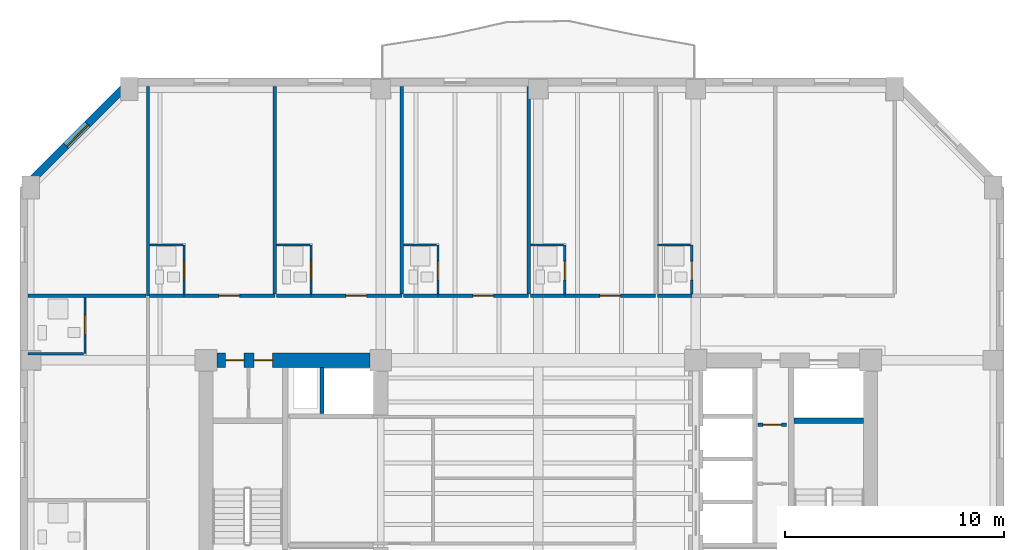
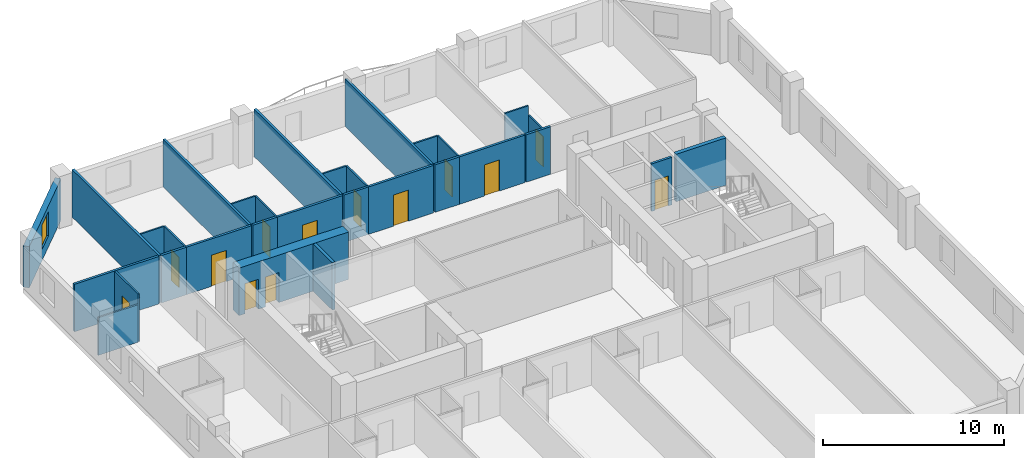
# One storey, part 5 of 11: 31 walls, 13 doors, 1 window, 14 openings.
"""IFC4 building model written with IfcOpenShell, lengths in metres."""

from ifc_helpers import new_model, si_unit, direction, frame, frame_2d, origin, place, context, subcontext, project, spatial, rectangle, extrude, material, layer, layer_set, type_object, element, fill, save


model = new_model("IFC4")

# Units and contexts
model_context = context("Model", 3, precision=1e-05, world=origin(), true_north=direction((0.0, 1.0)))
body_context = subcontext(model_context, "Body", "Model", "MODEL_VIEW")
ifc_project = project(units=[si_unit("LENGTHUNIT", "METRE"), si_unit("AREAUNIT", "SQUARE_METRE"), si_unit("VOLUMEUNIT", "CUBIC_METRE"), si_unit("PLANEANGLEUNIT", "RADIAN"), si_unit("MASSUNIT", "GRAM", prefix="KILO")], contexts=[model_context])

# Site, building, storey
site_placement = place(None, origin())
site = spatial("IfcSite", under=ifc_project, at=site_placement, CompositionType="ELEMENT")
building_placement = place(site_placement, origin())
building = spatial("IfcBuilding", under=site, at=building_placement, Name="Kranthara Brick Stack", CompositionType="ELEMENT")
storey_placement = place(building_placement, frame((0.0, 0.0, 130.800048828125)))
storey = spatial("IfcBuildingStorey", under=building, at=storey_placement, Name="L32", CompositionType="ELEMENT", Elevation=130.800048828125)

# Wall, opening, window
ifc_material_1 = material(Name="Kiln-fired clay brick masonry M15", Category="masonry")
ifc_layer_1 = layer(ifc_material_1, 0.35009765625)
ifc_layer_set_1 = layer_set([ifc_layer_1], Name="Kiln-fired clay brick masonry M15")
wall_type_1 = type_object("IfcWallType", Name="WL-BRK-SPND-350", PredefinedType="STANDARD", material=ifc_layer_set_1)
wall_1_placement = place(storey_placement, frame((4.4951171875, 41.5, 0.0), z_axis=(0.0, 0.0, 1.0), x_axis=(0.707106781187, 0.707106781187, 0.0)))
wall_1 = element("IfcWall", 1, at=wall_1_placement, inside=storey, type_object=wall_type_1, Name="L32 Exterior Brick Facade Wall NW 1", PredefinedType="STANDARD", context=body_context, shape_type="SweptSolid", body=[
    extrude(rectangle(XDim=6.795166015625, YDim=0.35009765625, at=frame_2d((3.3974609375, 0.0))), origin(), (0.0, 0.0, 1.0), 2.784912109375),
])
opening_1_placement = place(wall_1_placement, frame((2.697998046875, 0.0, 0.75)))
opening_1 = element("IfcOpeningElement", 2, at=opening_1_placement, cuts=wall_1, Name="Opening WN10", PredefinedType="OPENING", context=body_context, shape_type="SweptSolid", body=[
    extrude(rectangle(XDim=1.39990234375, YDim=1.64990234375, at=frame_2d((0.699951171875, 0.824951171875))), frame((0.0, 0.18505859375, 0.0), z_axis=(0.0, -1.0, 0.0), x_axis=(1.0, 0.0, 0.0)), (0.0, 0.0, 1.0), 0.3701171875),
])
ifc_material_2 = material(Name="Double-glazed low-E solar control glass", Category="glass")
window_type = type_object("IfcWindowType", Name="WN-CHM-1400x1750", PartitioningType="SINGLE_PANEL", PredefinedType="WINDOW", material=ifc_material_2)
window_placement = place(opening_1_placement, origin())
window = element("IfcWindow", 3, at=window_placement, inside=storey, type_object=window_type, Name="L32 NW Chamfer Corner Window", OverallHeight=1.64990234375, OverallWidth=1.39990234375, PartitioningType="SINGLE_PANEL", PredefinedType="WINDOW", context=body_context, shape_type="SweptSolid", body=[
    extrude(rectangle(XDim=1.39990234375, YDim=1.64990234375, at=frame_2d((0.699951171875, 0.824951171875))), frame((0.0, -0.010009765625, 0.0), z_axis=(0.0, -1.0, 0.0), x_axis=(1.0, 0.0, 0.0)), (0.0, 0.0, 1.0), 0.06005859375),
])
fill(opening_1, window)

# Wall
ifc_material_3 = material(Name="Concrete C50/60", Category="concrete")
ifc_layer_2 = layer(ifc_material_3, 0.25)
ifc_layer_set_2 = layer_set([ifc_layer_2], Name="Concrete C50/60")
wall_type_2 = type_object("IfcWallType", Name="WL-CORE-250", PredefinedType="SHEAR", material=ifc_layer_set_2)
wall_2_placement = place(storey_placement, frame((39.68994140625, 30.830078125, 0.0), z_axis=(0.0, 0.0, 1.0), x_axis=(1.0, 0.0, 0.0)))
element("IfcWall", 4, at=wall_2_placement, inside=storey, type_object=wall_type_2, Name="L32 East Stairwell Bearing Wall EST", PredefinedType="SHEAR", context=body_context, shape_type="SweptSolid", body=[
    extrude(rectangle(XDim=3.175048828125, YDim=0.25, at=frame_2d((1.58740234375, 0.0))), origin(), (0.0, 0.0, 1.0), 3.199951171875),
])

# Wall, openings, doors
ifc_material_4 = material(Name="Concrete C60/75", Category="concrete")
ifc_layer_3 = layer(ifc_material_4, 0.64990234375)
ifc_layer_set_3 = layer_set([ifc_layer_3], Name="Concrete C60/75")
wall_type_3 = type_object("IfcWallType", Name="WL-CORE-650", PredefinedType="SHEAR", material=ifc_layer_set_3)
wall_3_placement = place(storey_placement, frame((13.304931640625, 33.60009765625, 0.0), z_axis=(0.0, 0.0, 1.0), x_axis=(1.0, 0.0, 0.0)))
wall_3 = element("IfcWall", 5, at=wall_3_placement, inside=storey, type_object=wall_type_3, Name="L32 West Core Shear Wall North", PredefinedType="SHEAR", context=body_context, shape_type="SweptSolid", body=[
    extrude(rectangle(XDim=6.989990234375, YDim=0.64990234375, at=frame_2d((3.4951171875, 0.0))), origin(), (0.0, 0.0, 1.0), 3.199951171875),
])
opening_2_placement = place(wall_3_placement, frame((0.39501953125, 0.0, 0.0)))
opening_2 = element("IfcOpeningElement", 6, at=opening_2_placement, cuts=wall_3, Name="Opening D10", PredefinedType="OPENING", context=body_context, shape_type="SweptSolid", body=[
    extrude(rectangle(XDim=0.85009765625, YDim=2.02001953125, at=frame_2d((0.425048828125, 1.010009765625))), frame((0.0, 0.3349609375, 0.0), z_axis=(0.0, -1.0, 0.0), x_axis=(1.0, 0.0, 0.0)), (0.0, 0.0, 1.0), 0.669921875),
])
opening_3_placement = place(wall_3_placement, frame((1.695068359375, 0.0, 0.0)))
opening_3 = element("IfcOpeningElement", 7, at=opening_3_placement, cuts=wall_3, Name="Opening D10", PredefinedType="OPENING", context=body_context, shape_type="SweptSolid", body=[
    extrude(rectangle(XDim=0.85009765625, YDim=2.02001953125, at=frame_2d((0.425048828125, 1.010009765625))), frame((0.0, 0.3349609375, 0.0), z_axis=(0.0, -1.0, 0.0), x_axis=(1.0, 0.0, 0.0)), (0.0, 0.0, 1.0), 0.669921875),
])
ifc_material_5 = material(Name="Solid-core hardwood timber leaf in steel frame", Category="steel")
door_type_1 = type_object("IfcDoorType", Name="DR-RSR-850", OperationType="NOTDEFINED", PredefinedType="DOOR", material=ifc_material_5)
door_1_placement = place(opening_2_placement, origin())
door_1 = element("IfcDoor", 8, at=door_1_placement, inside=storey, type_object=door_type_1, Name="L32 West Core Service Door 1", OperationType="SINGLE_SWING_LEFT", OverallHeight=2.02001953125, OverallWidth=0.85009765625, PredefinedType="DOOR", context=body_context, shape_type="SweptSolid", body=[
    extrude(rectangle(XDim=0.85009765625, YDim=2.02001953125, at=frame_2d((0.425048828125, 1.010009765625))), frame((0.0, 0.02490234375, 0.0), z_axis=(0.0, -1.0, 0.0), x_axis=(1.0, 0.0, 0.0)), (0.0, 0.0, 1.0), 0.050048828125),
])
fill(opening_2, door_1)
door_2_placement = place(opening_3_placement, origin())
door_2 = element("IfcDoor", 9, at=door_2_placement, inside=storey, type_object=door_type_1, Name="L32 West Core Service Door 2", OperationType="SINGLE_SWING_RIGHT", OverallHeight=2.02001953125, OverallWidth=0.85009765625, PredefinedType="DOOR", context=body_context, shape_type="SweptSolid", body=[
    extrude(rectangle(XDim=0.85009765625, YDim=2.02001953125, at=frame_2d((0.425048828125, 1.010009765625))), frame((0.0, 0.02490234375, 0.0), z_axis=(0.0, -1.0, 0.0), x_axis=(1.0, 0.0, 0.0)), (0.0, 0.0, 1.0), 0.050048828125),
])
fill(opening_3, door_2)

# Wall, opening, door
ifc_material_6 = material(Name="Moisture-resistant wet-room partition", Category="other")
ifc_layer_4 = layer(ifc_material_6, 0.10009765625)
ifc_layer_set_4 = layer_set([ifc_layer_4], Name="Moisture-resistant wet-room partition")
wall_type_4 = type_object("IfcWallType", Name="WL-PART-100", PredefinedType="PARTITIONING", material=ifc_layer_set_4)
wall_4_placement = place(storey_placement, frame((11.800048828125, 36.6298828125, 0.0), z_axis=(0.0, 0.0, 1.0), x_axis=(0.0, 1.0, 0.0)))
wall_4 = element("IfcWall", 10, at=wall_4_placement, inside=storey, type_object=wall_type_4, Name="L32 Interior Partition 043", PredefinedType="PARTITIONING", context=body_context, shape_type="SweptSolid", body=[
    extrude(rectangle(XDim=2.25, YDim=0.10009765625, at=frame_2d((1.125, 0.0))), origin(), (0.0, 0.0, 1.0), 3.199951171875),
])
opening_4_placement = place(wall_4_placement, frame((0.639892578125, 0.0, 0.0)))
opening_4 = element("IfcOpeningElement", 11, at=opening_4_placement, cuts=wall_4, Name="Opening D17", PredefinedType="OPENING", context=body_context, shape_type="SweptSolid", body=[
    extrude(rectangle(XDim=0.85009765625, YDim=2.050048828125, at=frame_2d((0.425048828125, 1.02490234375))), frame((0.0, 0.06005859375, 0.0), z_axis=(0.0, -1.0, 0.0), x_axis=(1.0, 0.0, 0.0)), (0.0, 0.0, 1.0), 0.1201171875),
])
ifc_material_7 = material(Name="Solid-core hardwood timber leaf in steel frame", Category="steel")
door_type_2 = type_object("IfcDoorType", Name="DR-WET-850", OperationType="NOTDEFINED", PredefinedType="DOOR", material=ifc_material_7)
door_3_placement = place(opening_4_placement, origin())
door_3 = element("IfcDoor", 12, at=door_3_placement, inside=storey, type_object=door_type_2, Name="L32 Key 07 En-Suite Door 19", OperationType="SINGLE_SWING_LEFT", OverallHeight=2.050048828125, OverallWidth=0.85009765625, PredefinedType="DOOR", context=body_context, shape_type="SweptSolid", body=[
    extrude(rectangle(XDim=0.85009765625, YDim=2.050048828125, at=frame_2d((0.425048828125, 1.02490234375))), frame((0.0, 0.02490234375, 0.0), z_axis=(0.0, -1.0, 0.0), x_axis=(1.0, 0.0, 0.0)), (0.0, 0.0, 1.0), 0.050048828125),
])
fill(opening_4, door_3)

# Wall
wall_5_placement = place(storey_placement, frame((10.22998046875, 38.8798828125, 0.0), z_axis=(0.0, 0.0, 1.0), x_axis=(1.0, 0.0, 0.0)))
element("IfcWall", 13, at=wall_5_placement, inside=storey, type_object=wall_type_4, Name="L32 Interior Partition 044", PredefinedType="PARTITIONING", context=body_context, shape_type="SweptSolid", body=[
    extrude(rectangle(XDim=1.51513671875, YDim=0.10009765625, at=frame_2d((0.757568359375, 0.0))), origin(), (0.0, 0.0, 1.0), 3.199951171875),
])

# Wall, opening, door
wall_6_placement = place(storey_placement, frame((17.60595703125, 36.6298828125, 0.0), z_axis=(0.0, 0.0, 1.0), x_axis=(0.0, 1.0, 0.0)))
wall_6 = element("IfcWall", 14, at=wall_6_placement, inside=storey, type_object=wall_type_4, Name="L32 Interior Partition 048", PredefinedType="PARTITIONING", context=body_context, shape_type="SweptSolid", body=[
    extrude(rectangle(XDim=2.25, YDim=0.10009765625, at=frame_2d((1.125, 0.0))), origin(), (0.0, 0.0, 1.0), 3.199951171875),
])
opening_5_placement = place(wall_6_placement, frame((0.639892578125, 0.0, 0.0)))
opening_5 = element("IfcOpeningElement", 15, at=opening_5_placement, cuts=wall_6, Name="Opening D17", PredefinedType="OPENING", context=body_context, shape_type="SweptSolid", body=[
    extrude(rectangle(XDim=0.85009765625, YDim=2.050048828125, at=frame_2d((0.425048828125, 1.02490234375))), frame((0.0, 0.06005859375, 0.0), z_axis=(0.0, -1.0, 0.0), x_axis=(1.0, 0.0, 0.0)), (0.0, 0.0, 1.0), 0.1201171875),
])
door_4_placement = place(opening_5_placement, origin())
door_4 = element("IfcDoor", 16, at=door_4_placement, inside=storey, type_object=door_type_2, Name="L32 Key 08 En-Suite Door 21", OperationType="SINGLE_SWING_LEFT", OverallHeight=2.050048828125, OverallWidth=0.85009765625, PredefinedType="DOOR", context=body_context, shape_type="SweptSolid", body=[
    extrude(rectangle(XDim=0.85009765625, YDim=2.050048828125, at=frame_2d((0.425048828125, 1.02490234375))), frame((0.0, 0.02490234375, 0.0), z_axis=(0.0, -1.0, 0.0), x_axis=(1.0, 0.0, 0.0)), (0.0, 0.0, 1.0), 0.050048828125),
])
fill(opening_5, door_4)

# Wall
wall_7_placement = place(storey_placement, frame((16.035888671875, 38.8798828125, 0.0), z_axis=(0.0, 0.0, 1.0), x_axis=(1.0, 0.0, 0.0)))
element("IfcWall", 17, at=wall_7_placement, inside=storey, type_object=wall_type_4, Name="L32 Interior Partition 049", PredefinedType="PARTITIONING", context=body_context, shape_type="SweptSolid", body=[
    extrude(rectangle(XDim=1.51513671875, YDim=0.10009765625, at=frame_2d((0.757568359375, 0.0))), origin(), (0.0, 0.0, 1.0), 3.199951171875),
])

# Wall, opening, door
wall_8_placement = place(storey_placement, frame((23.410888671875, 36.6298828125, 0.0), z_axis=(0.0, 0.0, 1.0), x_axis=(0.0, 1.0, 0.0)))
wall_8 = element("IfcWall", 18, at=wall_8_placement, inside=storey, type_object=wall_type_4, Name="L32 Interior Partition 053", PredefinedType="PARTITIONING", context=body_context, shape_type="SweptSolid", body=[
    extrude(rectangle(XDim=2.25, YDim=0.10009765625, at=frame_2d((1.125, 0.0))), origin(), (0.0, 0.0, 1.0), 3.199951171875),
])
opening_6_placement = place(wall_8_placement, frame((0.639892578125, 0.0, 0.0)))
opening_6 = element("IfcOpeningElement", 19, at=opening_6_placement, cuts=wall_8, Name="Opening D17", PredefinedType="OPENING", context=body_context, shape_type="SweptSolid", body=[
    extrude(rectangle(XDim=0.85009765625, YDim=2.050048828125, at=frame_2d((0.425048828125, 1.02490234375))), frame((0.0, 0.06005859375, 0.0), z_axis=(0.0, -1.0, 0.0), x_axis=(1.0, 0.0, 0.0)), (0.0, 0.0, 1.0), 0.1201171875),
])
door_5_placement = place(opening_6_placement, origin())
door_5 = element("IfcDoor", 20, at=door_5_placement, inside=storey, type_object=door_type_2, Name="L32 Key 09 En-Suite Door 23", OperationType="SINGLE_SWING_LEFT", OverallHeight=2.050048828125, OverallWidth=0.85009765625, PredefinedType="DOOR", context=body_context, shape_type="SweptSolid", body=[
    extrude(rectangle(XDim=0.85009765625, YDim=2.050048828125, at=frame_2d((0.425048828125, 1.02490234375))), frame((0.0, 0.02490234375, 0.0), z_axis=(0.0, -1.0, 0.0), x_axis=(1.0, 0.0, 0.0)), (0.0, 0.0, 1.0), 0.050048828125),
])
fill(opening_6, door_5)

# Wall
wall_9_placement = place(storey_placement, frame((21.841064453125, 38.8798828125, 0.0), z_axis=(0.0, 0.0, 1.0), x_axis=(1.0, 0.0, 0.0)))
element("IfcWall", 21, at=wall_9_placement, inside=storey, type_object=wall_type_4, Name="L32 Interior Partition 054", PredefinedType="PARTITIONING", context=body_context, shape_type="SweptSolid", body=[
    extrude(rectangle(XDim=1.514892578125, YDim=0.10009765625, at=frame_2d((0.75732421875, 0.0))), origin(), (0.0, 0.0, 1.0), 3.199951171875),
])

# Wall, opening, door
wall_10_placement = place(storey_placement, frame((29.216064453125, 36.6298828125, 0.0), z_axis=(0.0, 0.0, 1.0), x_axis=(0.0, 1.0, 0.0)))
wall_10 = element("IfcWall", 22, at=wall_10_placement, inside=storey, type_object=wall_type_4, Name="L32 Interior Partition 058", PredefinedType="PARTITIONING", context=body_context, shape_type="SweptSolid", body=[
    extrude(rectangle(XDim=2.25, YDim=0.10009765625, at=frame_2d((1.125, 0.0))), origin(), (0.0, 0.0, 1.0), 3.199951171875),
])
opening_7_placement = place(wall_10_placement, frame((0.639892578125, 0.0, 0.0)))
opening_7 = element("IfcOpeningElement", 23, at=opening_7_placement, cuts=wall_10, Name="Opening D17", PredefinedType="OPENING", context=body_context, shape_type="SweptSolid", body=[
    extrude(rectangle(XDim=0.85009765625, YDim=2.050048828125, at=frame_2d((0.425048828125, 1.02490234375))), frame((0.0, 0.06005859375, 0.0), z_axis=(0.0, -1.0, 0.0), x_axis=(1.0, 0.0, 0.0)), (0.0, 0.0, 1.0), 0.1201171875),
])
door_6_placement = place(opening_7_placement, origin())
door_6 = element("IfcDoor", 24, at=door_6_placement, inside=storey, type_object=door_type_2, Name="L32 Key 10 En-Suite Door 25", OperationType="SINGLE_SWING_LEFT", OverallHeight=2.050048828125, OverallWidth=0.85009765625, PredefinedType="DOOR", context=body_context, shape_type="SweptSolid", body=[
    extrude(rectangle(XDim=0.85009765625, YDim=2.050048828125, at=frame_2d((0.425048828125, 1.02490234375))), frame((0.0, 0.02490234375, 0.0), z_axis=(0.0, -1.0, 0.0), x_axis=(1.0, 0.0, 0.0)), (0.0, 0.0, 1.0), 0.050048828125),
])
fill(opening_7, door_6)

# Wall
wall_11_placement = place(storey_placement, frame((27.64599609375, 38.8798828125, 0.0), z_axis=(0.0, 0.0, 1.0), x_axis=(1.0, 0.0, 0.0)))
element("IfcWall", 25, at=wall_11_placement, inside=storey, type_object=wall_type_4, Name="L32 Interior Partition 059", PredefinedType="PARTITIONING", context=body_context, shape_type="SweptSolid", body=[
    extrude(rectangle(XDim=1.514892578125, YDim=0.10009765625, at=frame_2d((0.75732421875, 0.0))), origin(), (0.0, 0.0, 1.0), 3.199951171875),
])

# Wall, opening, door
wall_12_placement = place(storey_placement, frame((35.02197265625, 36.6298828125, 0.0), z_axis=(0.0, 0.0, 1.0), x_axis=(0.0, 1.0, 0.0)))
wall_12 = element("IfcWall", 26, at=wall_12_placement, inside=storey, type_object=wall_type_4, Name="L32 Interior Partition 063", PredefinedType="PARTITIONING", context=body_context, shape_type="SweptSolid", body=[
    extrude(rectangle(XDim=2.25, YDim=0.10009765625, at=frame_2d((1.125, 0.0))), origin(), (0.0, 0.0, 1.0), 2.534912109375),
])
opening_8_placement = place(wall_12_placement, frame((0.639892578125, 0.0, 0.0)))
opening_8 = element("IfcOpeningElement", 27, at=opening_8_placement, cuts=wall_12, Name="Opening D17", PredefinedType="OPENING", context=body_context, shape_type="SweptSolid", body=[
    extrude(rectangle(XDim=0.85009765625, YDim=2.050048828125, at=frame_2d((0.425048828125, 1.02490234375))), frame((0.0, 0.06005859375, 0.0), z_axis=(0.0, -1.0, 0.0), x_axis=(1.0, 0.0, 0.0)), (0.0, 0.0, 1.0), 0.1201171875),
])
door_7_placement = place(opening_8_placement, origin())
door_7 = element("IfcDoor", 28, at=door_7_placement, inside=storey, type_object=door_type_2, Name="L32 Key 11 En-Suite Door 27", OperationType="SINGLE_SWING_LEFT", OverallHeight=2.050048828125, OverallWidth=0.85009765625, PredefinedType="DOOR", context=body_context, shape_type="SweptSolid", body=[
    extrude(rectangle(XDim=0.85009765625, YDim=2.050048828125, at=frame_2d((0.425048828125, 1.02490234375))), frame((0.0, 0.02490234375, 0.0), z_axis=(0.0, -1.0, 0.0), x_axis=(1.0, 0.0, 0.0)), (0.0, 0.0, 1.0), 0.050048828125),
])
fill(opening_8, door_7)

# Wall
wall_13_placement = place(storey_placement, frame((33.451904296875, 38.8798828125, 0.0), z_axis=(0.0, 0.0, 1.0), x_axis=(1.0, 0.0, 0.0)))
element("IfcWall", 29, at=wall_13_placement, inside=storey, type_object=wall_type_4, Name="L32 Interior Partition 064", PredefinedType="PARTITIONING", context=body_context, shape_type="SweptSolid", body=[
    extrude(rectangle(XDim=1.51513671875, YDim=0.10009765625, at=frame_2d((0.757568359375, 0.0))), origin(), (0.0, 0.0, 1.0), 3.199951171875),
])

# Wall, opening, door
wall_14_placement = place(storey_placement, frame((7.27001953125, 33.89990234375, 0.0), z_axis=(0.0, 0.0, 1.0), x_axis=(0.0, 1.0, 0.0)))
wall_14 = element("IfcWall", 30, at=wall_14_placement, inside=storey, type_object=wall_type_4, Name="L32 Interior Partition 075", PredefinedType="PARTITIONING", context=body_context, shape_type="SweptSolid", body=[
    extrude(rectangle(XDim=2.570068359375, YDim=0.10009765625, at=frame_2d((1.28515625, 0.0))), origin(), (0.0, 0.0, 1.0), 3.199951171875),
])
opening_9_placement = place(wall_14_placement, frame((0.905029296875, 0.0, 0.0)))
opening_9 = element("IfcOpeningElement", 31, at=opening_9_placement, cuts=wall_14, Name="Opening D17", PredefinedType="OPENING", context=body_context, shape_type="SweptSolid", body=[
    extrude(rectangle(XDim=0.85009765625, YDim=2.050048828125, at=frame_2d((0.425048828125, 1.02490234375))), frame((0.0, 0.06005859375, 0.0), z_axis=(0.0, -1.0, 0.0), x_axis=(1.0, 0.0, 0.0)), (0.0, 0.0, 1.0), 0.1201171875),
])
door_8_placement = place(opening_9_placement, origin())
door_8 = element("IfcDoor", 32, at=door_8_placement, inside=storey, type_object=door_type_2, Name="L32 West Key 14 Bath 32", OperationType="SINGLE_SWING_RIGHT", OverallHeight=2.050048828125, OverallWidth=0.85009765625, PredefinedType="DOOR", context=body_context, shape_type="SweptSolid", body=[
    extrude(rectangle(XDim=0.85009765625, YDim=2.050048828125, at=frame_2d((0.425048828125, 1.02490234375))), frame((0.0, 0.02490234375, 0.0), z_axis=(0.0, -1.0, 0.0), x_axis=(1.0, 0.0, 0.0)), (0.0, 0.0, 1.0), 0.050048828125),
])
fill(opening_9, door_8)

# Wall
wall_15_placement = place(storey_placement, frame((4.675048828125, 33.89990234375, 0.0), z_axis=(0.0, 0.0, 1.0), x_axis=(1.0, 0.0, 0.0)))
element("IfcWall", 33, at=wall_15_placement, inside=storey, type_object=wall_type_4, Name="L32 Interior Partition 076", PredefinedType="PARTITIONING", context=body_context, shape_type="SweptSolid", body=[
    extrude(rectangle(XDim=2.5400390625, YDim=0.10009765625, at=frame_2d((1.27001953125, 0.0))), origin(), (0.0, 0.0, 1.0), 2.534912109375),
])

# Wall, opening, door
ifc_material_8 = material(Name="Fire-rated gypsum board partition", Category="other")
ifc_layer_5 = layer(ifc_material_8, 0.14990234375)
ifc_layer_set_5 = layer_set([ifc_layer_5], Name="Fire-rated gypsum board partition")
wall_type_5 = type_object("IfcWallType", Name="WL-PART-150", PredefinedType="PARTITIONING", material=ifc_layer_set_5)
wall_16_placement = place(storey_placement, frame((38.050048828125, 30.64990234375, 0.0), z_axis=(0.0, 0.0, 1.0), x_axis=(1.0, 0.0, 0.0)))
wall_16 = element("IfcWall", 34, at=wall_16_placement, inside=storey, type_object=wall_type_5, Name="L32 Interior Partition 003", PredefinedType="PARTITIONING", context=body_context, shape_type="SweptSolid", body=[
    extrude(rectangle(XDim=1.300048828125, YDim=0.14990234375, at=frame_2d((0.64990234375, 0.0))), origin(), (0.0, 0.0, 1.0), 3.199951171875),
])
opening_10_placement = place(wall_16_placement, frame((0.219970703125, 0.0, 0.0)))
opening_10 = element("IfcOpeningElement", 35, at=opening_10_placement, cuts=wall_16, Name="Opening D10", PredefinedType="OPENING", context=body_context, shape_type="SweptSolid", body=[
    extrude(rectangle(XDim=0.85009765625, YDim=2.02001953125, at=frame_2d((0.425048828125, 1.010009765625))), frame((0.0, 0.0849609375, 0.0), z_axis=(0.0, -1.0, 0.0), x_axis=(1.0, 0.0, 0.0)), (0.0, 0.0, 1.0), 0.169921875),
])
door_9_placement = place(opening_10_placement, origin())
door_9 = element("IfcDoor", 36, at=door_9_placement, inside=storey, type_object=door_type_1, Name="L32 Riser Door 2 03", OperationType="SINGLE_SWING_LEFT", OverallHeight=2.02001953125, OverallWidth=0.85009765625, PredefinedType="DOOR", context=body_context, shape_type="SweptSolid", body=[
    extrude(rectangle(XDim=0.85009765625, YDim=2.02001953125, at=frame_2d((0.425048828125, 1.010009765625))), frame((0.0, 0.02490234375, 0.0), z_axis=(0.0, -1.0, 0.0), x_axis=(1.0, 0.0, 0.0)), (0.0, 0.0, 1.0), 0.050048828125),
])
fill(opening_10, door_9)

# Walls
wall_17_placement = place(storey_placement, frame((10.14990234375, 36.550048828125, 0.0), z_axis=(0.0, 0.0, 1.0), x_axis=(0.0, 1.0, 0.0)))
element("IfcWall", 37, at=wall_17_placement, inside=storey, type_object=wall_type_5, Name="L32 Interior Partition 040", PredefinedType="PARTITIONING", context=body_context, shape_type="SweptSolid", body=[
    extrude(rectangle(XDim=9.574951171875, YDim=0.14990234375, at=frame_2d((4.78759765625, 0.0))), origin(), (0.0, 0.0, 1.0), 3.199951171875),
])
wall_18_placement = place(storey_placement, frame((10.22998046875, 36.550048828125, 0.0), z_axis=(0.0, 0.0, 1.0), x_axis=(1.0, 0.0, 0.0)))
element("IfcWall", 38, at=wall_18_placement, inside=storey, type_object=wall_type_5, Name="L32 Interior Partition 041", PredefinedType="PARTITIONING", context=body_context, shape_type="SweptSolid", body=[
    extrude(rectangle(XDim=1.570068359375, YDim=0.14990234375, at=frame_2d((0.78515625, 0.0))), origin(), (0.0, 0.0, 1.0), 3.199951171875),
])

# Wall, opening, door
wall_19_placement = place(storey_placement, frame((11.800048828125, 36.550048828125, 0.0), z_axis=(0.0, 0.0, 1.0), x_axis=(1.0, 0.0, 0.0)))
wall_19 = element("IfcWall", 39, at=wall_19_placement, inside=storey, type_object=wall_type_5, Name="L32 Interior Partition 042", PredefinedType="PARTITIONING", context=body_context, shape_type="SweptSolid", body=[
    extrude(rectangle(XDim=4.156005859375, YDim=0.14990234375, at=frame_2d((2.078125, 0.0))), origin(), (0.0, 0.0, 1.0), 3.199951171875),
])
opening_11_placement = place(wall_19_placement, frame((1.597900390625, 0.0, 0.0)))
opening_11 = element("IfcOpeningElement", 40, at=opening_11_placement, cuts=wall_19, Name="Opening D09", PredefinedType="OPENING", context=body_context, shape_type="SweptSolid", body=[
    extrude(rectangle(XDim=0.949951171875, YDim=2.10009765625, at=frame_2d((0.47509765625, 1.050048828125))), frame((0.0, 0.0849609375, 0.0), z_axis=(0.0, -1.0, 0.0), x_axis=(1.0, 0.0, 0.0)), (0.0, 0.0, 1.0), 0.169921875),
])
ifc_material_9 = material(Name="Solid-core hardwood timber leaf in steel frame", Category="steel")
door_type_3 = type_object("IfcDoorType", Name="DR-FD-950", OperationType="NOTDEFINED", PredefinedType="DOOR", material=ifc_material_9)
door_10_placement = place(opening_11_placement, origin())
door_10 = element("IfcDoor", 41, at=door_10_placement, inside=storey, type_object=door_type_3, Name="L32 Key 07 Entry 20", OperationType="SINGLE_SWING_RIGHT", OverallHeight=2.10009765625, OverallWidth=0.949951171875, PredefinedType="DOOR", context=body_context, shape_type="SweptSolid", body=[
    extrude(rectangle(XDim=0.949951171875, YDim=2.10009765625, at=frame_2d((0.47509765625, 1.050048828125))), frame((0.0, 0.02490234375, 0.0), z_axis=(0.0, -1.0, 0.0), x_axis=(1.0, 0.0, 0.0)), (0.0, 0.0, 1.0), 0.050048828125),
])
fill(opening_11, door_10)

# Walls
wall_20_placement = place(storey_placement, frame((15.9560546875, 36.6298828125, 0.0), z_axis=(0.0, 0.0, 1.0), x_axis=(0.0, 1.0, 0.0)))
element("IfcWall", 42, at=wall_20_placement, inside=storey, type_object=wall_type_5, Name="L32 Interior Partition 045", PredefinedType="PARTITIONING", context=body_context, shape_type="SweptSolid", body=[
    extrude(rectangle(XDim=9.4951171875, YDim=0.14990234375, at=frame_2d((4.74755859375, 0.0))), origin(), (0.0, 0.0, 1.0), 3.199951171875),
])
wall_21_placement = place(storey_placement, frame((16.035888671875, 36.550048828125, 0.0), z_axis=(0.0, 0.0, 1.0), x_axis=(1.0, 0.0, 0.0)))
element("IfcWall", 43, at=wall_21_placement, inside=storey, type_object=wall_type_5, Name="L32 Interior Partition 046", PredefinedType="PARTITIONING", context=body_context, shape_type="SweptSolid", body=[
    extrude(rectangle(XDim=1.570068359375, YDim=0.14990234375, at=frame_2d((0.78515625, 0.0))), origin(), (0.0, 0.0, 1.0), 3.199951171875),
])

# Wall, opening, door
wall_22_placement = place(storey_placement, frame((17.60595703125, 36.550048828125, 0.0), z_axis=(0.0, 0.0, 1.0), x_axis=(1.0, 0.0, 0.0)))
wall_22 = element("IfcWall", 44, at=wall_22_placement, inside=storey, type_object=wall_type_5, Name="L32 Interior Partition 047", PredefinedType="PARTITIONING", context=body_context, shape_type="SweptSolid", body=[
    extrude(rectangle(XDim=4.155029296875, YDim=0.14990234375, at=frame_2d((2.07763671875, 0.0))), origin(), (0.0, 0.0, 1.0), 3.199951171875),
])
opening_12_placement = place(wall_22_placement, frame((1.596923828125, 0.0, 0.0)))
opening_12 = element("IfcOpeningElement", 45, at=opening_12_placement, cuts=wall_22, Name="Opening D09", PredefinedType="OPENING", context=body_context, shape_type="SweptSolid", body=[
    extrude(rectangle(XDim=0.949951171875, YDim=2.10009765625, at=frame_2d((0.47509765625, 1.050048828125))), frame((0.0, 0.0849609375, 0.0), z_axis=(0.0, -1.0, 0.0), x_axis=(1.0, 0.0, 0.0)), (0.0, 0.0, 1.0), 0.169921875),
])
door_11_placement = place(opening_12_placement, origin())
door_11 = element("IfcDoor", 46, at=door_11_placement, inside=storey, type_object=door_type_3, Name="L32 Key 08 Entry 22", OperationType="SINGLE_SWING_RIGHT", OverallHeight=2.10009765625, OverallWidth=0.949951171875, PredefinedType="DOOR", context=body_context, shape_type="SweptSolid", body=[
    extrude(rectangle(XDim=0.949951171875, YDim=2.10009765625, at=frame_2d((0.47509765625, 1.050048828125))), frame((0.0, 0.02490234375, 0.0), z_axis=(0.0, -1.0, 0.0), x_axis=(1.0, 0.0, 0.0)), (0.0, 0.0, 1.0), 0.050048828125),
])
fill(opening_12, door_11)

# Walls
wall_23_placement = place(storey_placement, frame((21.760986328125, 36.6298828125, 0.0), z_axis=(0.0, 0.0, 1.0), x_axis=(0.0, 1.0, 0.0)))
element("IfcWall", 47, at=wall_23_placement, inside=storey, type_object=wall_type_5, Name="L32 Interior Partition 050", PredefinedType="PARTITIONING", context=body_context, shape_type="SweptSolid", body=[
    extrude(rectangle(XDim=9.4951171875, YDim=0.14990234375, at=frame_2d((4.74755859375, 0.0))), origin(), (0.0, 0.0, 1.0), 3.199951171875),
])
wall_24_placement = place(storey_placement, frame((21.841064453125, 36.550048828125, 0.0), z_axis=(0.0, 0.0, 1.0), x_axis=(1.0, 0.0, 0.0)))
element("IfcWall", 48, at=wall_24_placement, inside=storey, type_object=wall_type_5, Name="L32 Interior Partition 051", PredefinedType="PARTITIONING", context=body_context, shape_type="SweptSolid", body=[
    extrude(rectangle(XDim=1.56982421875, YDim=0.14990234375, at=frame_2d((0.784912109375, 0.0))), origin(), (0.0, 0.0, 1.0), 3.199951171875),
])

# Wall, opening, door
wall_25_placement = place(storey_placement, frame((23.410888671875, 36.550048828125, 0.0), z_axis=(0.0, 0.0, 1.0), x_axis=(1.0, 0.0, 0.0)))
wall_25 = element("IfcWall", 49, at=wall_25_placement, inside=storey, type_object=wall_type_5, Name="L32 Interior Partition 052", PredefinedType="PARTITIONING", context=body_context, shape_type="SweptSolid", body=[
    extrude(rectangle(XDim=4.155029296875, YDim=0.14990234375, at=frame_2d((2.07763671875, 0.0))), origin(), (0.0, 0.0, 1.0), 3.199951171875),
])
opening_13_placement = place(wall_25_placement, frame((1.596923828125, 0.0, 0.0)))
opening_13 = element("IfcOpeningElement", 50, at=opening_13_placement, cuts=wall_25, Name="Opening D09", PredefinedType="OPENING", context=body_context, shape_type="SweptSolid", body=[
    extrude(rectangle(XDim=0.949951171875, YDim=2.10009765625, at=frame_2d((0.47509765625, 1.050048828125))), frame((0.0, 0.0849609375, 0.0), z_axis=(0.0, -1.0, 0.0), x_axis=(1.0, 0.0, 0.0)), (0.0, 0.0, 1.0), 0.169921875),
])
door_12_placement = place(opening_13_placement, origin())
door_12 = element("IfcDoor", 51, at=door_12_placement, inside=storey, type_object=door_type_3, Name="L32 Key 09 Entry 24", OperationType="SINGLE_SWING_RIGHT", OverallHeight=2.10009765625, OverallWidth=0.949951171875, PredefinedType="DOOR", context=body_context, shape_type="SweptSolid", body=[
    extrude(rectangle(XDim=0.949951171875, YDim=2.10009765625, at=frame_2d((0.47509765625, 1.050048828125))), frame((0.0, 0.02490234375, 0.0), z_axis=(0.0, -1.0, 0.0), x_axis=(1.0, 0.0, 0.0)), (0.0, 0.0, 1.0), 0.050048828125),
])
fill(opening_13, door_12)

# Walls
wall_26_placement = place(storey_placement, frame((27.56591796875, 36.6298828125, 0.0), z_axis=(0.0, 0.0, 1.0), x_axis=(0.0, 1.0, 0.0)))
element("IfcWall", 52, at=wall_26_placement, inside=storey, type_object=wall_type_5, Name="L32 Interior Partition 055", PredefinedType="PARTITIONING", context=body_context, shape_type="SweptSolid", body=[
    extrude(rectangle(XDim=9.4951171875, YDim=0.14990234375, at=frame_2d((4.74755859375, 0.0))), origin(), (0.0, 0.0, 1.0), 3.199951171875),
])
wall_27_placement = place(storey_placement, frame((27.64599609375, 36.550048828125, 0.0), z_axis=(0.0, 0.0, 1.0), x_axis=(1.0, 0.0, 0.0)))
element("IfcWall", 53, at=wall_27_placement, inside=storey, type_object=wall_type_5, Name="L32 Interior Partition 056", PredefinedType="PARTITIONING", context=body_context, shape_type="SweptSolid", body=[
    extrude(rectangle(XDim=1.570068359375, YDim=0.14990234375, at=frame_2d((0.78515625, 0.0))), origin(), (0.0, 0.0, 1.0), 3.199951171875),
])

# Wall, opening, door
wall_28_placement = place(storey_placement, frame((29.216064453125, 36.550048828125, 0.0), z_axis=(0.0, 0.0, 1.0), x_axis=(1.0, 0.0, 0.0)))
wall_28 = element("IfcWall", 54, at=wall_28_placement, inside=storey, type_object=wall_type_5, Name="L32 Interior Partition 057", PredefinedType="PARTITIONING", context=body_context, shape_type="SweptSolid", body=[
    extrude(rectangle(XDim=4.156005859375, YDim=0.14990234375, at=frame_2d((2.078125, 0.0))), origin(), (0.0, 0.0, 1.0), 3.199951171875),
])
opening_14_placement = place(wall_28_placement, frame((1.597900390625, 0.0, 0.0)))
opening_14 = element("IfcOpeningElement", 55, at=opening_14_placement, cuts=wall_28, Name="Opening D09", PredefinedType="OPENING", context=body_context, shape_type="SweptSolid", body=[
    extrude(rectangle(XDim=0.949951171875, YDim=2.10009765625, at=frame_2d((0.47509765625, 1.050048828125))), frame((0.0, 0.0849609375, 0.0), z_axis=(0.0, -1.0, 0.0), x_axis=(1.0, 0.0, 0.0)), (0.0, 0.0, 1.0), 0.169921875),
])
door_13_placement = place(opening_14_placement, origin())
door_13 = element("IfcDoor", 56, at=door_13_placement, inside=storey, type_object=door_type_3, Name="L32 Key 10 Entry 26", OperationType="SINGLE_SWING_RIGHT", OverallHeight=2.10009765625, OverallWidth=0.949951171875, PredefinedType="DOOR", context=body_context, shape_type="SweptSolid", body=[
    extrude(rectangle(XDim=0.949951171875, YDim=2.10009765625, at=frame_2d((0.47509765625, 1.050048828125))), frame((0.0, 0.02490234375, 0.0), z_axis=(0.0, -1.0, 0.0), x_axis=(1.0, 0.0, 0.0)), (0.0, 0.0, 1.0), 0.050048828125),
])
fill(opening_14, door_13)

# Walls
wall_29_placement = place(storey_placement, frame((33.451904296875, 36.550048828125, 0.0), z_axis=(0.0, 0.0, 1.0), x_axis=(1.0, 0.0, 0.0)))
element("IfcWall", 57, at=wall_29_placement, inside=storey, type_object=wall_type_5, Name="L32 Interior Partition 061", PredefinedType="PARTITIONING", context=body_context, shape_type="SweptSolid", body=[
    extrude(rectangle(XDim=1.570068359375, YDim=0.14990234375, at=frame_2d((0.78515625, 0.0))), origin(), (0.0, 0.0, 1.0), 3.199951171875),
])
wall_30_placement = place(storey_placement, frame((4.675048828125, 36.550048828125, 0.0), z_axis=(0.0, 0.0, 1.0), x_axis=(1.0, 0.0, 0.0)))
element("IfcWall", 58, at=wall_30_placement, inside=storey, type_object=wall_type_5, Name="L32 Interior Partition 069", PredefinedType="PARTITIONING", context=body_context, shape_type="SweptSolid", body=[
    extrude(rectangle(XDim=5.39501953125, YDim=0.14990234375, at=frame_2d((2.697509765625, 0.0))), origin(), (0.0, 0.0, 1.0), 3.199951171875),
])
ifc_material_10 = material(Name="Gypsum plasterboard on acoustic twin stud", Category="other")
ifc_layer_6 = layer(ifc_material_10, 0.179931640625)
ifc_layer_set_6 = layer_set([ifc_layer_6], Name="Gypsum plasterboard on acoustic twin stud")
wall_type_6 = type_object("IfcWallType", Name="WL-PART-180", PredefinedType="PARTITIONING", material=ifc_layer_set_6)
wall_31_placement = place(storey_placement, frame((18.1201171875, 31.169921875, 0.0), z_axis=(0.0, 0.0, 1.0), x_axis=(0.0, 1.0, 0.0)))
element("IfcWall", 59, at=wall_31_placement, inside=storey, type_object=wall_type_6, Name="L32 PL-07 Shaft Back Wall", PredefinedType="PARTITIONING", context=body_context, shape_type="SweptSolid", body=[
    extrude(rectangle(XDim=2.094970703125, YDim=0.179931640625, at=frame_2d((1.04736328125, 0.0))), origin(), (0.0, 0.0, 1.0), 3.199951171875),
])

save(model, "model.ifc")
